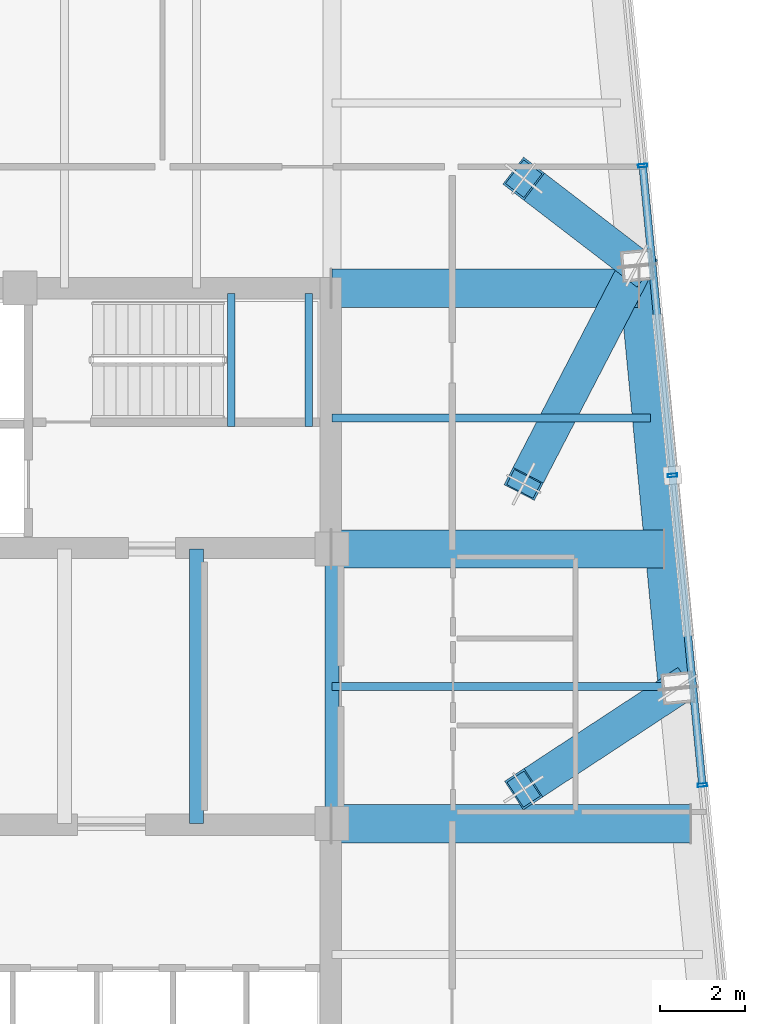
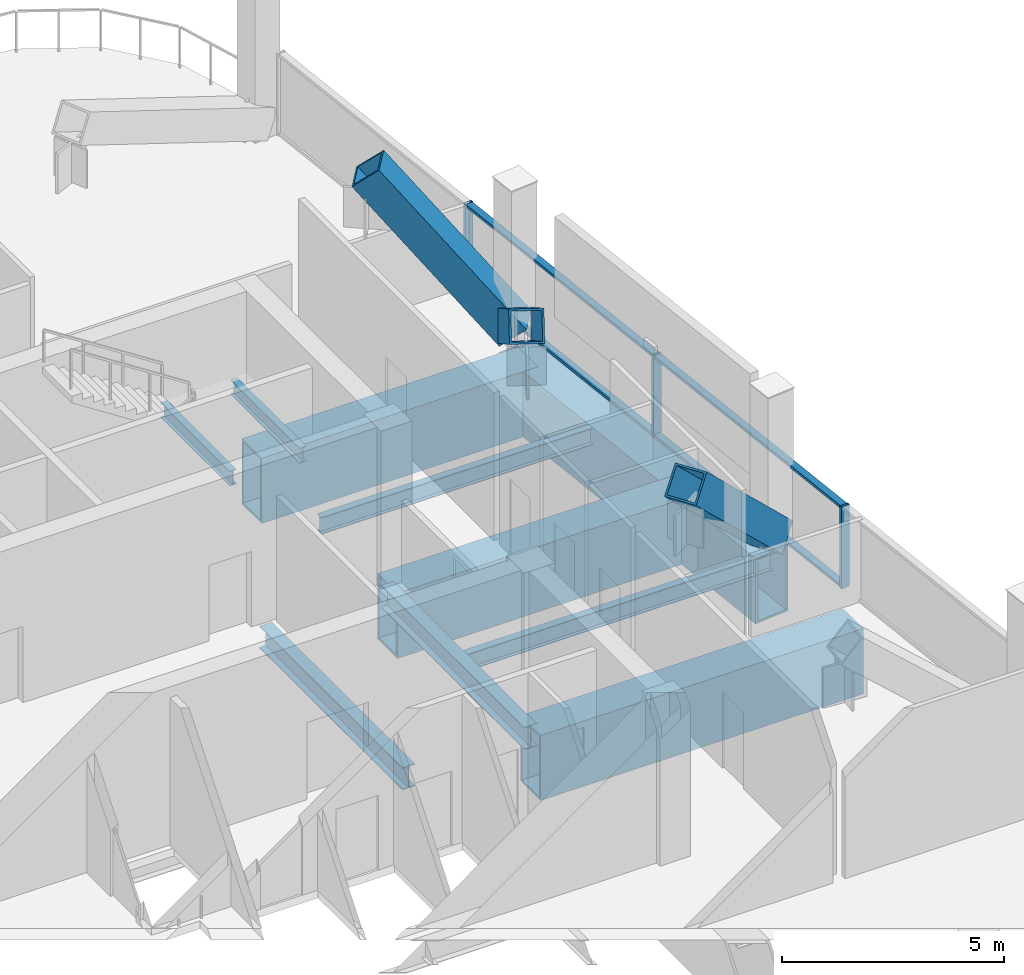
# One storey, part 9 of 22: 10 beams, 10 members, 1 element without a shape of its own.
"""IFC4 building model written with IfcOpenShell, lengths in metres."""

from ifc_helpers import new_model, si_unit, direction, frame, origin, origin_2d, place, context, subcontext, project, spatial, hollow_rectangle, i_section, extrude, material, layer, layer_set, material_profile, profile_set, type_object, element, aggregate, save


model = new_model("IFC4")

# Units and contexts
model_context = context("Model", 3, precision=1e-05, world=origin(), true_north=direction((0.0, 1.0)))
body_context = subcontext(model_context, "Body", "Model", "MODEL_VIEW")
ifc_project = project(units=[si_unit("LENGTHUNIT", "METRE"), si_unit("AREAUNIT", "SQUARE_METRE"), si_unit("VOLUMEUNIT", "CUBIC_METRE"), si_unit("PLANEANGLEUNIT", "RADIAN"), si_unit("MASSUNIT", "GRAM", prefix="KILO")], contexts=[model_context])

# Site, building, storey
site_placement = place(None, origin())
site = spatial("IfcSite", under=ifc_project, at=site_placement, CompositionType="ELEMENT")
building_placement = place(site_placement, origin())
building = spatial("IfcBuilding", under=site, at=building_placement, Name="Qhalaya Broadcast Tower", CompositionType="ELEMENT")
storey_placement = place(building_placement, frame((0.0, 0.0, 183.60009765625)))
storey = spatial("IfcBuildingStorey", under=building, at=storey_placement, Name="L54", CompositionType="ELEMENT", Elevation=183.60009765625)

# Beams
ifc_material_1 = material(Name="Structural Steel ASTM A572 Grade 50", Category="steel")
ifc_material_profile_1 = material_profile(ifc_material_1, hollow_rectangle(XDim=0.89990234375, YDim=1.800048828125, WallThickness=0.06005859375, at=origin_2d()), Name="BOX 900x1800x60")
ifc_profile_set_1 = profile_set([ifc_material_profile_1], Name="Structural Steel ASTM A572 Grade 50")
beam_type_1 = type_object("IfcBeamType", Name="Block Cantilever Transfer Box Girder TG1", PredefinedType="USERDEFINED", material=ifc_profile_set_1)
beam_1_placement = place(storey_placement, frame((17.49267578125, 0.558837890625, -1.1201171875), z_axis=(-0.095852900965, 0.995395510024, 0.0), x_axis=(-0.995395510024, -0.095852900965, 0.0)))
element("IfcBeam", 1, at=beam_1_placement, inside=storey, type_object=beam_type_1, Name="L54 TG1 L54-SPR-06", ObjectType="GIRDER", PredefinedType="USERDEFINED", context=body_context, shape_type="SweptSolid", body=[
    extrude(hollow_rectangle(XDim=0.89990234375, YDim=1.800048828125, WallThickness=0.06005859375, at=origin_2d()), origin(), (0.0, 0.0, 1.0), 9.966552734375),
])
beam_2_placement = place(storey_placement, frame((9.375, -2.625, -1.1201171875), z_axis=(1.0, 0.0, 0.0), x_axis=(0.0, 1.0, 0.0)))
element("IfcBeam", 2, at=beam_2_placement, inside=storey, type_object=beam_type_1, Name="L54 TG1 L54-PGYE2-1", ObjectType="GIRDER", PredefinedType="USERDEFINED", context=body_context, shape_type="SweptSolid", body=[
    extrude(hollow_rectangle(XDim=0.89990234375, YDim=1.800048828125, WallThickness=0.06005859375, at=origin_2d()), origin(), (0.0, 0.0, 1.0), 8.404052734375),
])
beam_3_placement = place(storey_placement, frame((9.375, 3.824951171875, -1.1201171875), z_axis=(1.0, 0.0, 0.0), x_axis=(0.0, 1.0, 0.0)))
element("IfcBeam", 3, at=beam_3_placement, inside=storey, type_object=beam_type_1, Name="L54 TG1 L54-PGYE3-1", ObjectType="GIRDER", PredefinedType="USERDEFINED", context=body_context, shape_type="SweptSolid", body=[
    extrude(hollow_rectangle(XDim=0.89990234375, YDim=1.800048828125, WallThickness=0.06005859375, at=origin_2d()), origin(), (0.0, 0.0, 1.0), 7.782958984375),
])
beam_4_placement = place(storey_placement, frame((9.375, 9.949951171875, -1.1201171875), z_axis=(1.0, 0.0, 0.0), x_axis=(0.0, 1.0, 0.0)))
element("IfcBeam", 4, at=beam_4_placement, inside=storey, type_object=beam_type_1, Name="L54 TG1 L54-PGYE4-1", ObjectType="GIRDER", PredefinedType="USERDEFINED", context=body_context, shape_type="SweptSolid", body=[
    extrude(hollow_rectangle(XDim=0.89990234375, YDim=1.800048828125, WallThickness=0.06005859375, at=origin_2d()), origin(), (0.0, 0.0, 1.0), 7.193115234375),
])
ifc_material_2 = material(Name="Structural Steel ASTM A992 Grade 50", Category="steel")
ifc_material_profile_2 = material_profile(ifc_material_2, i_section(OverallWidth=0.19189453125, OverallDepth=0.462890625, WebThickness=0.010498046875, FlangeThickness=0.017578125, at=origin_2d()), Name="W18X60")
ifc_profile_set_2 = profile_set([ifc_material_profile_2], Name="Structural Steel ASTM A992 Grade 50")
beam_type_2 = type_object("IfcBeamType", Name="Composite Floor Joist J03", PredefinedType="JOIST", material=ifc_profile_set_2)
beam_5_placement = place(storey_placement, frame((9.375, 0.60009765625, -0.45166015625), z_axis=(1.0, 0.0, 0.0), x_axis=(0.0, 1.0, 0.0)))
element("IfcBeam", 5, at=beam_5_placement, inside=storey, type_object=beam_type_2, Name="L54 J03 L54-JWE4E-1", PredefinedType="JOIST", context=body_context, shape_type="SweptSolid", body=[
    extrude(i_section(OverallWidth=0.19189453125, OverallDepth=0.462890625, WebThickness=0.010498046875, FlangeThickness=0.017578125, at=origin_2d()), origin(), (0.0, 0.0, 1.0), 8.093505859375),
])
beam_6_placement = place(storey_placement, frame((9.375, 6.89990234375, -0.45166015625), z_axis=(1.0, 0.0, 0.0), x_axis=(0.0, 1.0, 0.0)))
element("IfcBeam", 6, at=beam_6_placement, inside=storey, type_object=beam_type_2, Name="L54 J03 L54-JWE5E-1", PredefinedType="JOIST", context=body_context, shape_type="SweptSolid", body=[
    extrude(i_section(OverallWidth=0.19189453125, OverallDepth=0.462890625, WebThickness=0.010498046875, FlangeThickness=0.017578125, at=origin_2d()), origin(), (0.0, 0.0, 1.0), 7.48681640625),
])
ifc_material_profile_3 = material_profile(ifc_material_2, i_section(OverallWidth=0.323974609375, OverallDepth=0.612060546875, WebThickness=0.0126953125, FlangeThickness=0.01904296875, at=origin_2d()), Name="W24X104")
ifc_profile_set_3 = profile_set([ifc_material_profile_3], Name="Structural Steel ASTM A992 Grade 50")
beam_type_3 = type_object("IfcBeamType", Name="Core Frame Tie Beam B04", PredefinedType="BEAM", material=ifc_profile_set_3)
for number, where, z_axis, x_axis, name in (
    (7, (9.375, -2.625, -0.526123046875), (0.0, 1.0, 0.0), (-1.0, 0.0, 0.0), "L54 B04 L54-CCE"),
    (8, (6.199951171875, -2.625, -0.526123046875), (0.0, 1.0, 0.0), (-1.0, 0.0, 0.0), "L54 B04 L54-JC5-1"),
):
    element("IfcBeam", number, at=place(storey_placement, frame(where, z_axis=z_axis, x_axis=x_axis)), inside=storey, type_object=beam_type_3, Name=name, PredefinedType="BEAM", context=body_context, shape_type="SweptSolid", body=[
        extrude(i_section(OverallWidth=0.323974609375, OverallDepth=0.612060546875, WebThickness=0.0126953125, FlangeThickness=0.01904296875, at=origin_2d()), origin(), (0.0, 0.0, 1.0), 6.449951171875),
    ])

# Curtain wall, members
ifc_material_3 = material(Name="Fired Architectural Terracotta", Category="masonry")
ifc_layer = layer(ifc_material_3, 0.219970703125, Name="Fired Architectural Terracotta")
ifc_layer_set = layer_set([ifc_layer], Name="Fired Architectural Terracotta")
curtain_wall_type = type_object("IfcCurtainWallType", Name="Block-Cap Unitised Terracotta Spandrel Wall CW-07", PredefinedType="NOTDEFINED", material=ifc_layer_set)
curtain_wall_placement = place(storey_placement, origin())
curtain_wall = element("IfcCurtainWall", 9, at=curtain_wall_placement, inside=storey, type_object=curtain_wall_type, Name="L54 Unitised Curtain Wall L54-CW-E", PredefinedType="NOTDEFINED")
ifc_material_4 = material(Name="Anodised Aluminium 6063-T6", Category="aluminium")
ifc_material_profile_4 = material_profile(ifc_material_4, hollow_rectangle(XDim=0.074951171875, YDim=0.219970703125, WallThickness=0.00390625, at=origin_2d()), Name="ALU-MUL 75x220x4")
ifc_profile_set_4 = profile_set([ifc_material_profile_4], Name="Anodised Aluminium 6063-T6")
member_type_1 = type_object("IfcMemberType", Name="Unitised Curtain-Wall Mullion M01", PredefinedType="MULLION", material=ifc_profile_set_4)
member_1_placement = place(storey_placement, frame((16.673095703125, 12.826171875, 0.0), z_axis=(0.0, 0.0, 1.0), x_axis=(0.095846069906, -0.995396167806, 0.0)))
member_1 = element("IfcMember", 10, at=member_1_placement, type_object=member_type_1, Name="CW-07 mullion 2", PredefinedType="MULLION", context=body_context, shape_type="SweptSolid", body=[
    extrude(hollow_rectangle(XDim=0.074951171875, YDim=0.219970703125, WallThickness=0.00390625, at=origin_2d()), origin(), (0.0, 0.0, 1.0), 2.25),
])
member_2_placement = place(storey_placement, frame((17.373291015625, 5.5537109375, 0.0), z_axis=(0.0, 0.0, 1.0), x_axis=(0.095846069906, -0.995396167806, 0.0)))
member_2 = element("IfcMember", 11, at=member_2_placement, type_object=member_type_1, Name="CW-07 mullion 3", PredefinedType="MULLION", context=body_context, shape_type="SweptSolid", body=[
    extrude(hollow_rectangle(XDim=0.074951171875, YDim=0.219970703125, WallThickness=0.00390625, at=origin_2d()), origin(), (0.0, 0.0, 1.0), 2.25),
])
member_3_placement = place(storey_placement, frame((18.073486328125, -1.71875, 0.0), z_axis=(0.0, 0.0, 1.0), x_axis=(0.095846069906, -0.995396167806, 0.0)))
member_3 = element("IfcMember", 12, at=member_3_placement, type_object=member_type_1, Name="CW-07 mullion 4", PredefinedType="MULLION", context=body_context, shape_type="SweptSolid", body=[
    extrude(hollow_rectangle(XDim=0.074951171875, YDim=0.219970703125, WallThickness=0.00390625, at=origin_2d()), origin(), (0.0, 0.0, 1.0), 2.25),
])
ifc_material_profile_5 = material_profile(ifc_material_4, hollow_rectangle(XDim=0.074951171875, YDim=0.179931640625, WallThickness=0.00390625, at=origin_2d()), Name="ALU-TRN 75x180x4")
ifc_profile_set_5 = profile_set([ifc_material_profile_5], Name="Anodised Aluminium 6063-T6")
member_type_2 = type_object("IfcMemberType", Name="Unitised Curtain-Wall Transom T01", PredefinedType="USERDEFINED", material=ifc_profile_set_5)
member_4_placement = place(storey_placement, frame((16.6767578125, 12.788818359375, 0.037353515625), z_axis=(0.095819200387, -0.995398754689, 0.0), x_axis=(0.0, 0.0, 1.0)))
member_4 = element("IfcMember", 13, at=member_4_placement, type_object=member_type_2, Name="CW-07 transom 2.1", ObjectType="TRANSOM", PredefinedType="USERDEFINED", context=body_context, shape_type="SweptSolid", body=[
    extrude(hollow_rectangle(XDim=0.074951171875, YDim=0.179931640625, WallThickness=0.00390625, at=origin_2d()), origin(), (0.0, 0.0, 1.0), 7.23095703125),
])
member_5_placement = place(storey_placement, frame((16.6767578125, 12.788818359375, 2.21240234375), z_axis=(0.095819200387, -0.995398754689, 0.0), x_axis=(0.0, 0.0, 1.0)))
member_5 = element("IfcMember", 14, at=member_5_placement, type_object=member_type_2, Name="CW-07 transom 2.2", ObjectType="TRANSOM", PredefinedType="USERDEFINED", context=body_context, shape_type="SweptSolid", body=[
    extrude(hollow_rectangle(XDim=0.074951171875, YDim=0.179931640625, WallThickness=0.00390625, at=origin_2d()), origin(), (0.0, 0.0, 1.0), 7.23095703125),
])
member_6_placement = place(storey_placement, frame((17.376953125, 5.516357421875, 0.037353515625), z_axis=(0.095852653168, -0.995395533886, 0.0), x_axis=(0.0, 0.0, 1.0)))
member_6 = element("IfcMember", 15, at=member_6_placement, type_object=member_type_2, Name="CW-07 transom 3.1", ObjectType="TRANSOM", PredefinedType="USERDEFINED", context=body_context, shape_type="SweptSolid", body=[
    extrude(hollow_rectangle(XDim=0.074951171875, YDim=0.179931640625, WallThickness=0.00390625, at=origin_2d()), origin(), (0.0, 0.0, 1.0), 7.23095703125),
])
member_7_placement = place(storey_placement, frame((17.376953125, 5.516357421875, 2.21240234375), z_axis=(0.095852653168, -0.995395533886, 0.0), x_axis=(0.0, 0.0, 1.0)))
member_7 = element("IfcMember", 16, at=member_7_placement, type_object=member_type_2, Name="CW-07 transom 3.2", ObjectType="TRANSOM", PredefinedType="USERDEFINED", context=body_context, shape_type="SweptSolid", body=[
    extrude(hollow_rectangle(XDim=0.074951171875, YDim=0.179931640625, WallThickness=0.00390625, at=origin_2d()), origin(), (0.0, 0.0, 1.0), 7.23095703125),
])
aggregate(curtain_wall, [member_1, member_2, member_3, member_4, member_5, member_6, member_7])

# Members
ifc_material_profile_6 = material_profile(ifc_material_1, hollow_rectangle(XDim=0.800048828125, YDim=0.800048828125, WallThickness=0.050048828125, at=origin_2d()), Name="BOX 800x800x50")
ifc_profile_set_6 = profile_set([ifc_material_profile_6], Name="Structural Steel ASTM A572 Grade 50")
member_type_3 = type_object("IfcMemberType", Name="Upper Exoskeleton Transfer Strut RK2", PredefinedType="BRACE", material=ifc_profile_set_6)
member_8_placement = place(storey_placement, frame((17.49267578125, 0.558837890625, 0.3017578125), z_axis=(-0.610097901053, -0.400575159253, 0.683608142813), x_axis=(0.548846446052, -0.835923189448, 0.0)))
element("IfcMember", 17, at=member_8_placement, inside=storey, type_object=member_type_3, Name="L54 Inclined Exoskeleton Transfer Strut 06", PredefinedType="BRACE", context=body_context, shape_type="SweptSolid", body=[
    extrude(hollow_rectangle(XDim=0.800048828125, YDim=0.800048828125, WallThickness=0.050048828125, at=origin_2d()), origin(), (0.0, 0.0, 1.0), 5.921630859375),
])
member_9_placement = place(storey_placement, frame((16.537353515625, 10.4794921875, 0.33837890625), z_axis=(-0.377975315004, -0.729108653114, 0.570556950008), x_axis=(0.887794844488, -0.460239409547, 0.0)))
element("IfcMember", 18, at=member_9_placement, inside=storey, type_object=member_type_3, Name="L54 Inclined Exoskeleton Transfer Strut 07", PredefinedType="BRACE", context=body_context, shape_type="SweptSolid", body=[
    extrude(hollow_rectangle(XDim=0.800048828125, YDim=0.800048828125, WallThickness=0.050048828125, at=origin_2d()), origin(), (0.0, 0.0, 1.0), 7.03076171875),
])
member_10_placement = place(storey_placement, frame((16.537353515625, 10.4794921875, 0.263427734375), z_axis=(-0.502890718781, 0.38614245545, 0.773301318416), x_axis=(-0.609020327131, -0.793154613642, 0.0)))
element("IfcMember", 19, at=member_10_placement, inside=storey, type_object=member_type_3, Name="L54 Inclined Exoskeleton Transfer Strut 08", PredefinedType="BRACE", context=body_context, shape_type="SweptSolid", body=[
    extrude(hollow_rectangle(XDim=0.800048828125, YDim=0.800048828125, WallThickness=0.050048828125, at=origin_2d()), origin(), (0.0, 0.0, 1.0), 5.284423828125),
])

# Beams
ifc_material_profile_7 = material_profile(ifc_material_2, i_section(OverallWidth=0.177978515625, OverallDepth=0.406005859375, WebThickness=0.0078125, FlangeThickness=0.0126953125, at=origin_2d()), Name="W16X40")
ifc_profile_set_7 = profile_set([ifc_material_profile_7], Name="Structural Steel ASTM A992 Grade 50")
beam_type_4 = type_object("IfcBeamType", Name="Upper Perimeter Spandrel Beam SP2", PredefinedType="SPANDREL", material=ifc_profile_set_7)
for number, where, z_axis, x_axis, name in (
    (20, (7.014892578125, 6.699951171875, 1.77197265625), (0.0, 1.0, 0.0), (-1.0, 0.0, 0.0), "L54 ST-1 Half-Landing Bearer Beam 1"),
    (21, (8.830078125, 6.699951171875, 1.77197265625), (0.0, 1.0, 0.0), (-1.0, 0.0, 0.0), "L54 ST-1 Half-Landing Bearer Beam 2"),
):
    element("IfcBeam", number, at=place(storey_placement, frame(where, z_axis=z_axis, x_axis=x_axis)), inside=storey, type_object=beam_type_4, Name=name, PredefinedType="SPANDREL", context=body_context, shape_type="SweptSolid", body=[
        extrude(i_section(OverallWidth=0.177978515625, OverallDepth=0.406005859375, WebThickness=0.0078125, FlangeThickness=0.0126953125, at=origin_2d()), origin(), (0.0, 0.0, 1.0), 3.1201171875),
    ])

save(model, "model.ifc")
